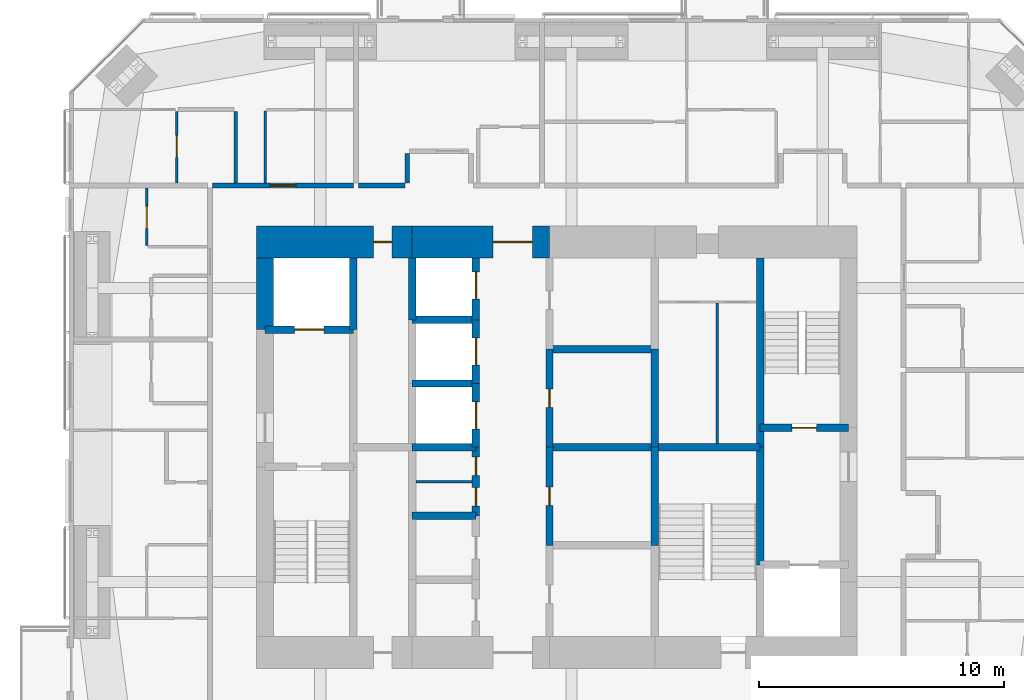
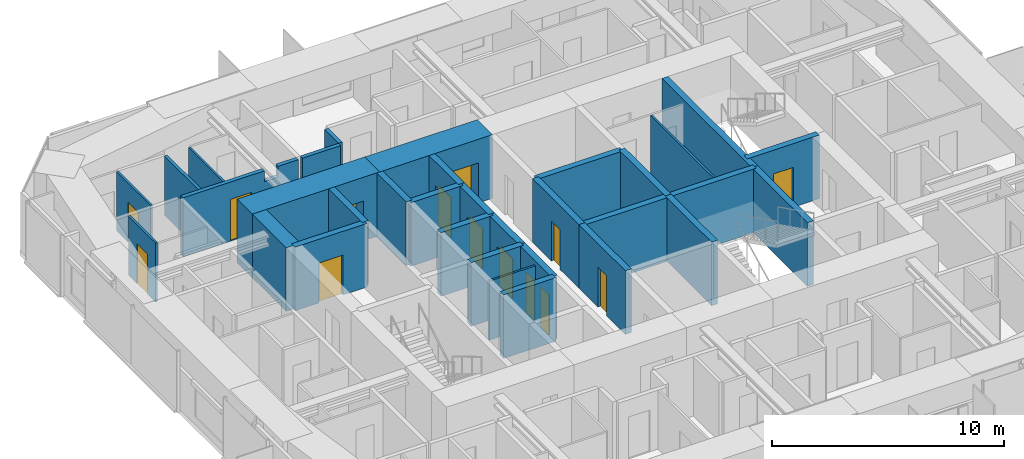
# One storey, part 18 of 23: 33 walls, 14 doors, 14 openings.
"""IFC4 building model written with IfcOpenShell, lengths in metres."""

from ifc_helpers import new_model, si_unit, direction, frame, frame_2d, origin, place, context, subcontext, project, spatial, polyline, rectangle, outline, extrude, material, layer, layer_set, constituent, constituent_set, type_object, element, fill, save


model = new_model("IFC4")

# Units and contexts
model_context = context("Model", 3, precision=1e-05, world=origin(), true_north=direction((0.0, 1.0)))
body_context = subcontext(model_context, "Body", "Model", "MODEL_VIEW")
ifc_project = project(units=[si_unit("LENGTHUNIT", "METRE"), si_unit("AREAUNIT", "SQUARE_METRE"), si_unit("VOLUMEUNIT", "CUBIC_METRE"), si_unit("PLANEANGLEUNIT", "RADIAN"), si_unit("MASSUNIT", "GRAM", prefix="KILO")], contexts=[model_context])

# Site, building, storey
site_placement = place(None, origin())
site = spatial("IfcSite", under=ifc_project, at=site_placement, CompositionType="ELEMENT")
building_placement = place(site_placement, origin())
building = spatial("IfcBuilding", under=site, at=building_placement, Name="Jalousie Tower", CompositionType="ELEMENT")
storey_placement = place(building_placement, frame((0.0, 0.0, 164.39990234375)))
storey = spatial("IfcBuildingStorey", under=building, at=storey_placement, Name="L44", CompositionType="ELEMENT", Elevation=164.39990234375)

# Wall
ifc_material_1 = material(Name="Concrete block ASTM C90", Category="concrete")
ifc_constituent_1 = constituent(ifc_material_1, Name="Body")
ifc_material_2 = material(Name="Render")
ifc_constituent_2 = constituent(ifc_material_2, Name="Finish")
ifc_constituent_set_1 = constituent_set(constituents=[ifc_constituent_1, ifc_constituent_2])
wall_type_1 = type_object("IfcWallType", Name="BATHROOM WALL 150", PredefinedType="PLUMBINGWALL", material=ifc_constituent_set_1)
wall_1_placement = place(storey_placement, frame((18.800048828125, 32.20361328125, 0.0), z_axis=(0.0, 0.0, 1.0), x_axis=(0.0, -1.0, 0.0)))
element("IfcWall", 1, at=wall_1_placement, inside=storey, type_object=wall_type_1, Name="Bathroom Wall 150 L44", PredefinedType="PLUMBINGWALL", context=body_context, shape_type="SweptSolid", body=[
    extrude(rectangle(XDim=2.9287109375, YDim=0.14990234375, at=frame_2d((1.46435546875, 0.0))), origin(), (0.0, 0.0, 1.0), 3.110107421875),
])

# Wall, opening, door
ifc_material_3 = material(Name="Concrete f'c 120 MPa", Category="concrete")
ifc_layer_1 = layer(ifc_material_3, 1.300048828125)
ifc_layer_set_1 = layer_set([ifc_layer_1], Name="Concrete f'c 120 MPa")
wall_type_2 = type_object("IfcWallType", Name="CORE WALL 1300", PredefinedType="SHEAR", material=ifc_layer_set_1)
wall_2_placement = place(storey_placement, frame((31.60009765625, 26.875, 0.0), z_axis=(0.0, 0.0, 1.0), x_axis=(-1.0, 0.0, 0.0)))
wall_2 = element("IfcWall", 2, at=wall_2_placement, inside=storey, type_object=wall_type_2, Name="Core wall NC L44", PredefinedType="SHEAR", context=body_context, shape_type="SweptSolid", body=[
    extrude(rectangle(XDim=5.60009765625, YDim=1.300048828125, at=frame_2d((2.800048828125, 0.0))), origin(), (0.0, 0.0, 1.0), 3.35009765625),
])
opening_1_placement = place(wall_2_placement, frame((0.699951171875, 0.0, 0.0)))
opening_1 = element("IfcOpeningElement", 3, at=opening_1_placement, cuts=wall_2, Name="Opening D15", PredefinedType="OPENING", context=body_context, shape_type="SweptSolid", body=[
    extrude(rectangle(XDim=1.60009765625, YDim=2.10009765625, at=frame_2d((0.800048828125, 1.050048828125))), frame((0.0, 0.659912109375, 0.0), z_axis=(0.0, -1.0, 0.0), x_axis=(1.0, 0.0, 0.0)), (0.0, 0.0, 1.0), 1.320068359375),
])
ifc_material_4 = material(Name="Steel fire door", Category="steel")
door_type_1 = type_object("IfcDoorType", Name="LIFT LOBBY DOOR 1600", OperationType="DOUBLE_DOOR_SINGLE_SWING", PredefinedType="DOOR", material=ifc_material_4)
door_1_placement = place(opening_1_placement, origin())
door_1 = element("IfcDoor", 4, at=door_1_placement, inside=storey, type_object=door_type_1, Name="Lift lobby north door", OperationType="DOUBLE_DOOR_SINGLE_SWING", OverallHeight=2.10009765625, OverallWidth=1.60009765625, PredefinedType="DOOR", context=body_context, shape_type="SweptSolid", body=[
    extrude(rectangle(XDim=1.60009765625, YDim=2.10009765625, at=frame_2d((0.800048828125, 1.050048828125))), frame((0.0, 0.02490234375, 0.0), z_axis=(0.0, -1.0, 0.0), x_axis=(1.0, 0.0, 0.0)), (0.0, 0.0, 1.0), 0.050048828125),
])
fill(opening_1, door_1)

wall_3_placement = place(storey_placement, frame((26.0, 26.875, 0.0), z_axis=(0.0, 0.0, 1.0), x_axis=(-1.0, 0.0, 0.0)))
wall_3 = element("IfcWall", 5, at=wall_3_placement, inside=storey, type_object=wall_type_2, Name="Core wall ND L44", PredefinedType="SHEAR", context=body_context, shape_type="SweptSolid", body=[
    extrude(rectangle(XDim=6.35009765625, YDim=1.300048828125, at=frame_2d((3.175048828125, 0.0))), origin(), (0.0, 0.0, 1.0), 3.35009765625),
])
opening_2_placement = place(wall_3_placement, frame((0.824951171875, 0.0, 0.0)))
opening_2 = element("IfcOpeningElement", 6, at=opening_2_placement, cuts=wall_3, Name="Opening D16", PredefinedType="OPENING", context=body_context, shape_type="SweptSolid", body=[
    extrude(rectangle(XDim=0.75, YDim=2.10009765625, at=frame_2d((0.375, 1.050048828125))), frame((0.0, 0.659912109375, 0.0), z_axis=(0.0, -1.0, 0.0), x_axis=(1.0, 0.0, 0.0)), (0.0, 0.0, 1.0), 1.320068359375),
])
ifc_material_5 = material(Name="Steel fire door", Category="steel")
door_type_2 = type_object("IfcDoorType", Name="RISER DOOR 750", OperationType="SINGLE_SWING_LEFT", PredefinedType="DOOR", material=ifc_material_5)
door_2_placement = place(opening_2_placement, origin())
door_2 = element("IfcDoor", 7, at=door_2_placement, inside=storey, type_object=door_type_2, Name="North riser door", OperationType="SINGLE_SWING_RIGHT", OverallHeight=2.10009765625, OverallWidth=0.75, PredefinedType="DOOR", context=body_context, shape_type="SweptSolid", body=[
    extrude(rectangle(XDim=0.75, YDim=2.10009765625, at=frame_2d((0.375, 1.050048828125))), frame((0.0, 0.02490234375, 0.0), z_axis=(0.0, -1.0, 0.0), x_axis=(1.0, 0.0, 0.0)), (0.0, 0.0, 1.0), 0.050048828125),
])
fill(opening_2, door_2)

# Walls
ifc_material_6 = material(Name="Concrete f'c 120 MPa", Category="concrete")
ifc_layer_2 = layer(ifc_material_6, 0.300048828125)
ifc_layer_set_2 = layer_set([ifc_layer_2], Name="Concrete f'c 120 MPa")
wall_type_3 = type_object("IfcWallType", Name="CORE WALL 300", PredefinedType="SHEAR", material=ifc_layer_set_2)
wall_4_placement = place(storey_placement, frame((23.60009765625, 23.300048828125, 0.0), z_axis=(0.0, 0.0, 1.0), x_axis=(0.0, 1.0, 0.0)))
element("IfcWall", 8, at=wall_4_placement, inside=storey, type_object=wall_type_3, Name="Core wall X23.6C L44", PredefinedType="SHEAR", context=body_context, shape_type="SweptSolid", body=[
    extrude(rectangle(XDim=2.925048828125, YDim=0.300048828125, at=frame_2d((1.46240234375, 0.0))), origin(), (0.0, 0.0, 1.0), 3.35009765625),
])
wall_5_placement = place(storey_placement, frame((26.0, 23.699951171875, 0.0), z_axis=(0.0, 0.0, 1.0), x_axis=(0.0, 1.0, 0.0)))
element("IfcWall", 9, at=wall_5_placement, inside=storey, type_object=wall_type_3, Name="Core wall X26F L44", PredefinedType="SHEAR", context=body_context, shape_type="SweptSolid", body=[
    extrude(rectangle(XDim=2.525146484375, YDim=0.300048828125, at=frame_2d((1.2626953125, 0.0))), origin(), (0.0, 0.0, 1.0), 3.35009765625),
])

# Wall, openings, doors
wall_6_placement = place(storey_placement, frame((28.60009765625, 15.699951171875, 0.0), z_axis=(0.0, 0.0, 1.0), x_axis=(0.0, 1.0, 0.0)))
wall_6 = element("IfcWall", 10, at=wall_6_placement, inside=storey, type_object=wall_type_3, Name="Core wall X28.6C L44", PredefinedType="SHEAR", context=body_context, shape_type="SweptSolid", body=[
    extrude(rectangle(XDim=2.800048828125, YDim=0.300048828125, at=frame_2d((1.39990234375, 0.0))), origin(), (0.0, 0.0, 1.0), 3.35009765625),
])
opening_3_placement = place(wall_6_placement, frame((0.39990234375, 0.0, 0.0)))
opening_3 = element("IfcOpeningElement", 11, at=opening_3_placement, cuts=wall_6, Name="Opening D27", PredefinedType="OPENING", context=body_context, shape_type="SweptSolid", body=[
    extrude(rectangle(XDim=0.75, YDim=2.10009765625, at=frame_2d((0.375, 1.050048828125))), frame((0.0, 0.159912109375, 0.0), z_axis=(0.0, -1.0, 0.0), x_axis=(1.0, 0.0, 0.0)), (0.0, 0.0, 1.0), 0.320068359375),
])
opening_4_placement = place(wall_6_placement, frame((1.64990234375, 0.0, 0.0)))
opening_4 = element("IfcOpeningElement", 12, at=opening_4_placement, cuts=wall_6, Name="Opening D27", PredefinedType="OPENING", context=body_context, shape_type="SweptSolid", body=[
    extrude(rectangle(XDim=0.75, YDim=2.10009765625, at=frame_2d((0.375, 1.050048828125))), frame((0.0, 0.159912109375, 0.0), z_axis=(0.0, -1.0, 0.0), x_axis=(1.0, 0.0, 0.0)), (0.0, 0.0, 1.0), 0.320068359375),
])
ifc_material_7 = material(Name="Steel fire door", Category="steel")
door_type_3 = type_object("IfcDoorType", Name="CORE ROOM DOOR 750", OperationType="SINGLE_SWING_LEFT", PredefinedType="DOOR", material=ifc_material_7)
door_3_placement = place(opening_3_placement, origin())
door_3 = element("IfcDoor", 13, at=door_3_placement, inside=storey, type_object=door_type_3, Name="Store door", OperationType="SINGLE_SWING_RIGHT", OverallHeight=2.10009765625, OverallWidth=0.75, PredefinedType="DOOR", context=body_context, shape_type="SweptSolid", body=[
    extrude(rectangle(XDim=0.75, YDim=2.10009765625, at=frame_2d((0.375, 1.050048828125))), frame((0.0, 0.02490234375, 0.0), z_axis=(0.0, -1.0, 0.0), x_axis=(1.0, 0.0, 0.0)), (0.0, 0.0, 1.0), 0.050048828125),
])
fill(opening_3, door_3)
door_4_placement = place(opening_4_placement, origin())
door_4 = element("IfcDoor", 14, at=door_4_placement, inside=storey, type_object=door_type_3, Name="Linen store door", OperationType="SINGLE_SWING_LEFT", OverallHeight=2.10009765625, OverallWidth=0.75, PredefinedType="DOOR", context=body_context, shape_type="SweptSolid", body=[
    extrude(rectangle(XDim=0.75, YDim=2.10009765625, at=frame_2d((0.375, 1.050048828125))), frame((0.0, 0.02490234375, 0.0), z_axis=(0.0, -1.0, 0.0), x_axis=(1.0, 0.0, 0.0)), (0.0, 0.0, 1.0), 0.050048828125),
])
fill(opening_4, door_4)

# Wall, opening, door
wall_7_placement = place(storey_placement, frame((28.60009765625, 18.5, 0.0), z_axis=(0.0, 0.0, 1.0), x_axis=(0.0, 1.0, 0.0)))
wall_7 = element("IfcWall", 15, at=wall_7_placement, inside=storey, type_object=wall_type_3, Name="Core wall X28.6D L44", PredefinedType="SHEAR", context=body_context, shape_type="SweptSolid", body=[
    extrude(rectangle(XDim=2.60009765625, YDim=0.300048828125, at=frame_2d((1.300048828125, 0.0))), origin(), (0.0, 0.0, 1.0), 3.35009765625),
])
opening_5_placement = place(wall_7_placement, frame((0.75, 0.0, 0.0)))
opening_5 = element("IfcOpeningElement", 16, at=opening_5_placement, cuts=wall_7, Name="Opening LD1", PredefinedType="OPENING", context=body_context, shape_type="SweptSolid", body=[
    extrude(rectangle(XDim=1.10009765625, YDim=2.10009765625, at=frame_2d((0.550048828125, 1.050048828125))), frame((0.0, 0.159912109375, 0.0), z_axis=(0.0, -1.0, 0.0), x_axis=(1.0, 0.0, 0.0)), (0.0, 0.0, 1.0), 0.320068359375),
])
ifc_material_8 = material(Name="Steel lift landing door", Category="steel")
door_type_4 = type_object("IfcDoorType", Name="LIFT LANDING DOOR 1100", OperationType="SLIDING_TO_LEFT", PredefinedType="DOOR", material=ifc_material_8)
door_5_placement = place(opening_5_placement, origin())
door_5 = element("IfcDoor", 17, at=door_5_placement, inside=storey, type_object=door_type_4, Name="Lift P4 landing door", OperationType="SLIDING_TO_LEFT", OverallHeight=2.10009765625, OverallWidth=1.10009765625, PredefinedType="DOOR", context=body_context, shape_type="SweptSolid", body=[
    extrude(rectangle(XDim=1.10009765625, YDim=2.10009765625, at=frame_2d((0.550048828125, 1.050048828125))), frame((0.0, 0.02490234375, 0.0), z_axis=(0.0, -1.0, 0.0), x_axis=(1.0, 0.0, 0.0)), (0.0, 0.0, 1.0), 0.050048828125),
])
fill(opening_5, door_5)

wall_8_placement = place(storey_placement, frame((28.60009765625, 21.10009765625, 0.0), z_axis=(0.0, 0.0, 1.0), x_axis=(0.0, 1.0, 0.0)))
wall_8 = element("IfcWall", 18, at=wall_8_placement, inside=storey, type_object=wall_type_3, Name="Core wall X28.6E L44", PredefinedType="SHEAR", context=body_context, shape_type="SweptSolid", body=[
    extrude(rectangle(XDim=2.599853515625, YDim=0.300048828125, at=frame_2d((1.2998046875, 0.0))), origin(), (0.0, 0.0, 1.0), 3.35009765625),
])
opening_6_placement = place(wall_8_placement, frame((0.75, 0.0, 0.0)))
opening_6 = element("IfcOpeningElement", 19, at=opening_6_placement, cuts=wall_8, Name="Opening LD1", PredefinedType="OPENING", context=body_context, shape_type="SweptSolid", body=[
    extrude(rectangle(XDim=1.10009765625, YDim=2.10009765625, at=frame_2d((0.550048828125, 1.050048828125))), frame((0.0, 0.159912109375, 0.0), z_axis=(0.0, -1.0, 0.0), x_axis=(1.0, 0.0, 0.0)), (0.0, 0.0, 1.0), 0.320068359375),
])
door_6_placement = place(opening_6_placement, origin())
door_6 = element("IfcDoor", 20, at=door_6_placement, inside=storey, type_object=door_type_4, Name="Lift P5 landing door", OperationType="SLIDING_TO_LEFT", OverallHeight=2.10009765625, OverallWidth=1.10009765625, PredefinedType="DOOR", context=body_context, shape_type="SweptSolid", body=[
    extrude(rectangle(XDim=1.10009765625, YDim=2.10009765625, at=frame_2d((0.550048828125, 1.050048828125))), frame((0.0, 0.02490234375, 0.0), z_axis=(0.0, -1.0, 0.0), x_axis=(1.0, 0.0, 0.0)), (0.0, 0.0, 1.0), 0.050048828125),
])
fill(opening_6, door_6)

wall_9_placement = place(storey_placement, frame((28.60009765625, 23.699951171875, 0.0), z_axis=(0.0, 0.0, 1.0), x_axis=(0.0, 1.0, 0.0)))
wall_9 = element("IfcWall", 21, at=wall_9_placement, inside=storey, type_object=wall_type_3, Name="Core wall X28.6F L44", PredefinedType="SHEAR", context=body_context, shape_type="SweptSolid", body=[
    extrude(rectangle(XDim=2.525146484375, YDim=0.300048828125, at=frame_2d((1.2626953125, 0.0))), origin(), (0.0, 0.0, 1.0), 3.35009765625),
])
opening_7_placement = place(wall_9_placement, frame((0.85009765625, 0.0, 0.0)))
opening_7 = element("IfcOpeningElement", 22, at=opening_7_placement, cuts=wall_9, Name="Opening LD1", PredefinedType="OPENING", context=body_context, shape_type="SweptSolid", body=[
    extrude(rectangle(XDim=1.10009765625, YDim=2.10009765625, at=frame_2d((0.550048828125, 1.050048828125))), frame((0.0, 0.159912109375, 0.0), z_axis=(0.0, -1.0, 0.0), x_axis=(1.0, 0.0, 0.0)), (0.0, 0.0, 1.0), 0.320068359375),
])
door_7_placement = place(opening_7_placement, origin())
door_7 = element("IfcDoor", 23, at=door_7_placement, inside=storey, type_object=door_type_4, Name="Lift P6 landing door", OperationType="SLIDING_TO_LEFT", OverallHeight=2.10009765625, OverallWidth=1.10009765625, PredefinedType="DOOR", context=body_context, shape_type="SweptSolid", body=[
    extrude(rectangle(XDim=1.10009765625, YDim=2.10009765625, at=frame_2d((0.550048828125, 1.050048828125))), frame((0.0, 0.02490234375, 0.0), z_axis=(0.0, -1.0, 0.0), x_axis=(1.0, 0.0, 0.0)), (0.0, 0.0, 1.0), 0.050048828125),
])
fill(opening_7, door_7)

wall_10_placement = place(storey_placement, frame((31.60009765625, 14.5, 0.0), z_axis=(0.0, 0.0, 1.0), x_axis=(0.0, 1.0, 0.0)))
wall_10 = element("IfcWall", 24, at=wall_10_placement, inside=storey, type_object=wall_type_3, Name="Core wall X31.6B L44", PredefinedType="SHEAR", context=body_context, shape_type="SweptSolid", body=[
    extrude(rectangle(XDim=4.0, YDim=0.300048828125, at=frame_2d((2.0, 0.0))), origin(), (0.0, 0.0, 1.0), 3.35009765625),
])
opening_8_placement = place(wall_10_placement, frame((1.625, 0.0, 0.0)))
opening_8 = element("IfcOpeningElement", 25, at=opening_8_placement, cuts=wall_10, Name="Opening D16", PredefinedType="OPENING", context=body_context, shape_type="SweptSolid", body=[
    extrude(rectangle(XDim=0.75, YDim=2.10009765625, at=frame_2d((0.375, 1.050048828125))), frame((0.0, 0.159912109375, 0.0), z_axis=(0.0, -1.0, 0.0), x_axis=(1.0, 0.0, 0.0)), (0.0, 0.0, 1.0), 0.320068359375),
])
door_8_placement = place(opening_8_placement, frame((0.75, 0.0, 0.0), z_axis=(0.0, 0.0, 1.0), x_axis=(-1.0, 0.0, 0.0)))
door_8 = element("IfcDoor", 26, at=door_8_placement, inside=storey, type_object=door_type_2, Name="Electrical Room door", OperationType="SINGLE_SWING_RIGHT", OverallHeight=2.10009765625, OverallWidth=0.75, PredefinedType="DOOR", context=body_context, shape_type="SweptSolid", body=[
    extrude(rectangle(XDim=0.75, YDim=2.10009765625, at=frame_2d((0.375, 1.050048828125))), frame((0.0, 0.02490234375, 0.0), z_axis=(0.0, -1.0, 0.0), x_axis=(1.0, 0.0, 0.0)), (0.0, 0.0, 1.0), 0.050048828125),
])
fill(opening_8, door_8)

wall_11_placement = place(storey_placement, frame((31.60009765625, 18.5, 0.0), z_axis=(0.0, 0.0, 1.0), x_axis=(0.0, 1.0, 0.0)))
wall_11 = element("IfcWall", 27, at=wall_11_placement, inside=storey, type_object=wall_type_3, Name="Core wall X31.6C L44", PredefinedType="SHEAR", context=body_context, shape_type="SweptSolid", body=[
    extrude(rectangle(XDim=4.0, YDim=0.300048828125, at=frame_2d((2.0, 0.0))), origin(), (0.0, 0.0, 1.0), 3.35009765625),
])
opening_9_placement = place(wall_11_placement, frame((1.625, 0.0, 0.0)))
opening_9 = element("IfcOpeningElement", 28, at=opening_9_placement, cuts=wall_11, Name="Opening D16", PredefinedType="OPENING", context=body_context, shape_type="SweptSolid", body=[
    extrude(rectangle(XDim=0.75, YDim=2.10009765625, at=frame_2d((0.375, 1.050048828125))), frame((0.0, 0.159912109375, 0.0), z_axis=(0.0, -1.0, 0.0), x_axis=(1.0, 0.0, 0.0)), (0.0, 0.0, 1.0), 0.320068359375),
])
door_9_placement = place(opening_9_placement, frame((0.75, 0.0, 0.0), z_axis=(0.0, 0.0, 1.0), x_axis=(-1.0, 0.0, 0.0)))
door_9 = element("IfcDoor", 29, at=door_9_placement, inside=storey, type_object=door_type_2, Name="Telecom Room door", OperationType="SINGLE_SWING_RIGHT", OverallHeight=2.10009765625, OverallWidth=0.75, PredefinedType="DOOR", context=body_context, shape_type="SweptSolid", body=[
    extrude(rectangle(XDim=0.75, YDim=2.10009765625, at=frame_2d((0.375, 1.050048828125))), frame((0.0, 0.02490234375, 0.0), z_axis=(0.0, -1.0, 0.0), x_axis=(1.0, 0.0, 0.0)), (0.0, 0.0, 1.0), 0.050048828125),
])
fill(opening_9, door_9)

# Walls
for number, where, z_axis, x_axis, name in (
    (30, (35.89990234375, 14.5, 0.0), (0.0, 0.0, 1.0), (0.0, 1.0, 0.0), "Core wall X35.9B L44"),
    (31, (35.89990234375, 18.5, 0.0), (0.0, 0.0, 1.0), (0.0, 1.0, 0.0), "Core wall X35.9C L44"),
):
    element("IfcWall", number, at=place(storey_placement, frame(where, z_axis=z_axis, x_axis=x_axis)), inside=storey, type_object=wall_type_3, Name=name, PredefinedType="SHEAR", context=body_context, shape_type="SweptSolid", body=[
        extrude(rectangle(XDim=4.0, YDim=0.300048828125, at=frame_2d((2.0, 0.0))), origin(), (0.0, 0.0, 1.0), 3.35009765625),
    ])
wall_12_placement = place(storey_placement, frame((40.199951171875, 13.699951171875, 0.0), z_axis=(0.0, 0.0, 1.0), x_axis=(0.0, 1.0, 0.0)))
element("IfcWall", 32, at=wall_12_placement, inside=storey, type_object=wall_type_3, Name="Core wall X40.2B L44", PredefinedType="SHEAR", context=body_context, shape_type="SweptSolid", body=[
    extrude(rectangle(XDim=4.800048828125, YDim=0.300048828125, at=frame_2d((2.39990234375, 0.0))), origin(), (0.0, 0.0, 1.0), 3.35009765625),
])
wall_13_placement = place(storey_placement, frame((40.199951171875, 18.5, 0.0), z_axis=(0.0, 0.0, 1.0), x_axis=(0.0, 1.0, 0.0)))
element("IfcWall", 33, at=wall_13_placement, inside=storey, type_object=wall_type_3, Name="Core wall X40.2C L44", PredefinedType="SHEAR", context=body_context, shape_type="SweptSolid", body=[
    extrude(rectangle(XDim=7.72509765625, YDim=0.300048828125, at=frame_2d((3.862548828125, 0.0))), origin(), (0.0, 0.0, 1.0), 3.35009765625),
])

# Wall, opening, door
wall_14_placement = place(storey_placement, frame((20.0, 23.300048828125, 0.0), z_axis=(0.0, 0.0, 1.0), x_axis=(1.0, 0.0, 0.0)))
wall_14 = element("IfcWall", 34, at=wall_14_placement, inside=storey, type_object=wall_type_3, Name="Core wall Y20-23.3 L44", PredefinedType="SHEAR", context=body_context, shape_type="SweptSolid", body=[
    extrude(rectangle(XDim=3.60009765625, YDim=0.300048828125, at=frame_2d((1.800048828125, 0.0))), origin(), (0.0, 0.0, 1.0), 3.35009765625),
])
opening_10_placement = place(wall_14_placement, frame((1.199951171875, 0.0, 0.0)))
opening_10 = element("IfcOpeningElement", 35, at=opening_10_placement, cuts=wall_14, Name="Opening LD2", PredefinedType="OPENING", context=body_context, shape_type="SweptSolid", body=[
    extrude(rectangle(XDim=1.199951171875, YDim=2.10009765625, at=frame_2d((0.60009765625, 1.050048828125))), frame((0.0, 0.159912109375, 0.0), z_axis=(0.0, -1.0, 0.0), x_axis=(1.0, 0.0, 0.0)), (0.0, 0.0, 1.0), 0.320068359375),
])
ifc_material_9 = material(Name="Steel lift landing door", Category="steel")
door_type_5 = type_object("IfcDoorType", Name="LIFT LANDING DOOR 1200", OperationType="SLIDING_TO_LEFT", PredefinedType="DOOR", material=ifc_material_9)
door_10_placement = place(opening_10_placement, origin())
door_10 = element("IfcDoor", 36, at=door_10_placement, inside=storey, type_object=door_type_5, Name="Lift F1 landing door", OperationType="SLIDING_TO_LEFT", OverallHeight=2.10009765625, OverallWidth=1.199951171875, PredefinedType="DOOR", context=body_context, shape_type="SweptSolid", body=[
    extrude(rectangle(XDim=1.199951171875, YDim=2.10009765625, at=frame_2d((0.60009765625, 1.050048828125))), frame((0.0, 0.02490234375, 0.0), z_axis=(0.0, -1.0, 0.0), x_axis=(1.0, 0.0, 0.0)), (0.0, 0.0, 1.0), 0.050048828125),
])
fill(opening_10, door_10)

# Walls
for number, where, z_axis, x_axis, name in (
    (37, (26.0, 15.699951171875, 0.0), (0.0, 0.0, 1.0), (1.0, 0.0, 0.0), "Core wall Y26-15.7 L44"),
    (38, (26.0, 18.5, 0.0), (0.0, 0.0, 1.0), (1.0, 0.0, 0.0), "Core wall Y26-18.5 L44"),
    (39, (26.0, 21.10009765625, 0.0), (0.0, 0.0, 1.0), (1.0, 0.0, 0.0), "Core wall Y26-21.1 L44"),
    (40, (26.0, 23.699951171875, 0.0), (0.0, 0.0, 1.0), (1.0, 0.0, 0.0), "Core wall Y26-23.7 L44"),
):
    element("IfcWall", number, at=place(storey_placement, frame(where, z_axis=z_axis, x_axis=x_axis)), inside=storey, type_object=wall_type_3, Name=name, PredefinedType="SHEAR", context=body_context, shape_type="SweptSolid", body=[
        extrude(rectangle(XDim=2.60009765625, YDim=0.300048828125, at=frame_2d((1.300048828125, 0.0))), origin(), (0.0, 0.0, 1.0), 3.35009765625),
    ])
for number, where, z_axis, x_axis, name in (
    (41, (31.60009765625, 18.5, 0.0), (0.0, 0.0, 1.0), (1.0, 0.0, 0.0), "Core wall Y31.6-18.5 L44"),
    (42, (31.60009765625, 22.5, 0.0), (0.0, 0.0, 1.0), (1.0, 0.0, 0.0), "Core wall Y31.6-22.5 L44"),
):
    element("IfcWall", number, at=place(storey_placement, frame(where, z_axis=z_axis, x_axis=x_axis)), inside=storey, type_object=wall_type_3, Name=name, PredefinedType="SHEAR", context=body_context, shape_type="SweptSolid", body=[
        extrude(rectangle(XDim=4.2998046875, YDim=0.300048828125, at=frame_2d((2.14990234375, 0.0))), origin(), (0.0, 0.0, 1.0), 3.35009765625),
    ])
wall_15_placement = place(storey_placement, frame((35.89990234375, 18.5, 0.0), z_axis=(0.0, 0.0, 1.0), x_axis=(1.0, 0.0, 0.0)))
element("IfcWall", 43, at=wall_15_placement, inside=storey, type_object=wall_type_3, Name="Core wall Y35.9-18.5 L44", PredefinedType="SHEAR", context=body_context, shape_type="SweptSolid", body=[
    extrude(rectangle(XDim=4.300048828125, YDim=0.300048828125, at=frame_2d((2.14990234375, 0.0))), origin(), (0.0, 0.0, 1.0), 3.35009765625),
])

# Wall, opening, door
wall_16_placement = place(storey_placement, frame((40.199951171875, 19.300048828125, 0.0), z_axis=(0.0, 0.0, 1.0), x_axis=(1.0, 0.0, 0.0)))
wall_16 = element("IfcWall", 44, at=wall_16_placement, inside=storey, type_object=wall_type_3, Name="Core wall Y40.2-19.3 L44", PredefinedType="SHEAR", context=body_context, shape_type="SweptSolid", body=[
    extrude(rectangle(XDim=3.60009765625, YDim=0.300048828125, at=frame_2d((1.800048828125, 0.0))), origin(), (0.0, 0.0, 1.0), 3.35009765625),
])
opening_11_placement = place(wall_16_placement, frame((1.300048828125, 0.0, 0.0)))
opening_11 = element("IfcOpeningElement", 45, at=opening_11_placement, cuts=wall_16, Name="Opening D10", PredefinedType="OPENING", context=body_context, shape_type="SweptSolid", body=[
    extrude(rectangle(XDim=1.0, YDim=2.10009765625, at=frame_2d((0.5, 1.050048828125))), frame((0.0, 0.159912109375, 0.0), z_axis=(0.0, -1.0, 0.0), x_axis=(1.0, 0.0, 0.0)), (0.0, 0.0, 1.0), 0.320068359375),
])
ifc_material_10 = material(Name="Steel fire door", Category="steel")
door_type_6 = type_object("IfcDoorType", Name="STAIR DOOR 1000", OperationType="SINGLE_SWING_LEFT", PredefinedType="DOOR", material=ifc_material_10)
door_11_placement = place(opening_11_placement, origin())
door_11 = element("IfcDoor", 46, at=door_11_placement, inside=storey, type_object=door_type_6, Name="Exit stair B door", OperationType="SINGLE_SWING_RIGHT", OverallHeight=2.10009765625, OverallWidth=1.0, PredefinedType="DOOR", context=body_context, shape_type="SweptSolid", body=[
    extrude(rectangle(XDim=1.0, YDim=2.10009765625, at=frame_2d((0.5, 1.050048828125))), frame((0.0, 0.02490234375, 0.0), z_axis=(0.0, -1.0, 0.0), x_axis=(1.0, 0.0, 0.0)), (0.0, 0.0, 1.0), 0.050048828125),
])
fill(opening_11, door_11)

# Wall
ifc_material_11 = material(Name="Concrete f'c 120 MPa", Category="concrete")
ifc_layer_3 = layer(ifc_material_11, 0.699951171875)
ifc_layer_set_3 = layer_set([ifc_layer_3], Name="Concrete f'c 120 MPa")
wall_type_4 = type_object("IfcWallType", Name="CORE WALL 700", PredefinedType="SHEAR", material=ifc_layer_set_3)
wall_17_placement = place(storey_placement, frame((20.0, 26.22509765625, 0.0), z_axis=(0.0, 0.0, 1.0), x_axis=(0.0, -1.0, 0.0)))
element("IfcWall", 47, at=wall_17_placement, inside=storey, type_object=wall_type_4, Name="Core wall WA L44", PredefinedType="SHEAR", context=body_context, shape_type="SweptSolid", body=[
    extrude(rectangle(XDim=2.925048828125, YDim=0.699951171875, at=frame_2d((1.46240234375, 0.0))), origin(), (0.0, 0.0, 1.0), 3.35009765625),
])

# Wall, opening, door
ifc_material_12 = material(Name="Concrete block ASTM C90", Category="concrete")
ifc_constituent_3 = constituent(ifc_material_12, Name="Body")
ifc_material_13 = material(Name="Render")
ifc_constituent_4 = constituent(ifc_material_13, Name="Finish")
ifc_constituent_set_2 = constituent_set(constituents=[ifc_constituent_3, ifc_constituent_4])
wall_type_5 = type_object("IfcWallType", Name="CORRIDOR WALL 200", PredefinedType="PARTITIONING", material=ifc_constituent_set_2)
wall_18_placement = place(storey_placement, frame((17.85009765625, 29.175048828125, 0.0), z_axis=(0.0, 0.0, 1.0), x_axis=(1.0, 0.0, 0.0)))
wall_18 = element("IfcWall", 48, at=wall_18_placement, inside=storey, type_object=wall_type_5, Name="Corridor Wall 200 L44", PredefinedType="PARTITIONING", context=body_context, shape_type="SweptSolid", body=[
    extrude(outline(polyline([(0.0, 0.0), (5.75, 0.0), (5.75, 3.110107421875), (4.7373046875, 3.110107421875), (4.7373046875, 2.541015625), (4.0625, 2.541015625), (4.0625, 3.110107421875), (0.0, 3.110107421875), (0.0, 0.0)])), frame((0.0, 0.10009765625, 0.0), z_axis=(0.0, -1.0, 0.0), x_axis=(1.0, 0.0, 0.0)), (0.0, 0.0, 1.0), 0.199951171875),
])
opening_12_placement = place(wall_18_placement, frame((2.35009765625, 0.0, 0.0)))
opening_12 = element("IfcOpeningElement", 49, at=opening_12_placement, cuts=wall_18, Name="Opening D1", PredefinedType="OPENING", context=body_context, shape_type="SweptSolid", body=[
    extrude(rectangle(XDim=1.050048828125, YDim=2.199951171875, at=frame_2d((0.52490234375, 1.10009765625))), frame((0.0, 0.10986328125, 0.0), z_axis=(0.0, -1.0, 0.0), x_axis=(1.0, 0.0, 0.0)), (0.0, 0.0, 1.0), 0.219970703125),
])
ifc_material_14 = material(Name="Timber fire door", Category="wood")
door_type_7 = type_object("IfcDoorType", Name="APARTMENT ENTRANCE DOOR 1050", OperationType="SINGLE_SWING_LEFT", PredefinedType="DOOR", material=ifc_material_14)
door_12_placement = place(opening_12_placement, origin())
door_12 = element("IfcDoor", 50, at=door_12_placement, inside=storey, type_object=door_type_7, Name="Apartment 4405 entrance", OperationType="SINGLE_SWING_LEFT", OverallHeight=2.199951171875, OverallWidth=1.050048828125, PredefinedType="DOOR", context=body_context, shape_type="SweptSolid", body=[
    extrude(rectangle(XDim=1.050048828125, YDim=2.199951171875, at=frame_2d((0.52490234375, 1.10009765625))), frame((0.0, 0.02490234375, 0.0), z_axis=(0.0, -1.0, 0.0), x_axis=(1.0, 0.0, 0.0)), (0.0, 0.0, 1.0), 0.050048828125),
])
fill(opening_12, door_12)

# Walls
wall_19_placement = place(storey_placement, frame((23.800048828125, 29.175048828125, 0.0), z_axis=(0.0, 0.0, 1.0), x_axis=(1.0, 0.0, 0.0)))
element("IfcWall", 51, at=wall_19_placement, inside=storey, type_object=wall_type_5, Name="Corridor Wall 200 L44", PredefinedType="PARTITIONING", context=body_context, shape_type="SweptSolid", body=[
    extrude(rectangle(XDim=1.89990234375, YDim=0.199951171875, at=frame_2d((0.949951171875, 0.0))), origin(), (0.0, 0.0, 1.0), 3.110107421875),
])
wall_20_placement = place(storey_placement, frame((25.800048828125, 29.27490234375, 0.0), z_axis=(0.0, 0.0, 1.0), x_axis=(0.0, 1.0, 0.0)))
element("IfcWall", 52, at=wall_20_placement, inside=storey, type_object=wall_type_5, Name="Corridor Wall 200 L44", PredefinedType="PARTITIONING", context=body_context, shape_type="SweptSolid", body=[
    extrude(rectangle(XDim=1.2001953125, YDim=0.199951171875, at=frame_2d((0.60009765625, 0.0))), origin(), (0.0, 0.0, 1.0), 3.110107421875),
])

# Wall, opening, door
ifc_material_15 = material(Name="Gypsum board", Category="gypsum")
ifc_constituent_5 = constituent(ifc_material_15, Name="Body")
ifc_material_16 = material(Name="Light-gauge steel studs ASTM A653 SS Grade 33", Category="steel")
ifc_constituent_6 = constituent(ifc_material_16, Name="Framing")
ifc_constituent_set_3 = constituent_set(constituents=[ifc_constituent_5, ifc_constituent_6])
wall_type_6 = type_object("IfcWallType", Name="PARTITION 100", PredefinedType="PARTITIONING", material=ifc_constituent_set_3)
wall_21_placement = place(storey_placement, frame((16.39990234375, 32.20361328125, 0.0), z_axis=(0.0, 0.0, 1.0), x_axis=(0.0, -1.0, 0.0)))
wall_21 = element("IfcWall", 53, at=wall_21_placement, inside=storey, type_object=wall_type_6, Name="Partition 100 L44", PredefinedType="PARTITIONING", context=body_context, shape_type="SweptSolid", body=[
    extrude(rectangle(XDim=2.9287109375, YDim=0.10009765625, at=frame_2d((1.46435546875, 0.0))), origin(), (0.0, 0.0, 1.0), 3.110107421875),
])
opening_13_placement = place(wall_21_placement, frame((0.976806640625, 0.0, 0.0)))
opening_13 = element("IfcOpeningElement", 54, at=opening_13_placement, cuts=wall_21, Name="Opening D3", PredefinedType="OPENING", context=body_context, shape_type="SweptSolid", body=[
    extrude(rectangle(XDim=0.89990234375, YDim=2.10009765625, at=frame_2d((0.449951171875, 1.050048828125))), frame((0.0, 0.06005859375, 0.0), z_axis=(0.0, -1.0, 0.0), x_axis=(1.0, 0.0, 0.0)), (0.0, 0.0, 1.0), 0.1201171875),
])
ifc_material_17 = material(Name="Timber door", Category="wood")
door_type_8 = type_object("IfcDoorType", Name="BATHROOM DOOR 900", OperationType="SINGLE_SWING_LEFT", PredefinedType="DOOR", material=ifc_material_17)
door_13_placement = place(opening_13_placement, origin())
door_13 = element("IfcDoor", 55, at=door_13_placement, inside=storey, type_object=door_type_8, Name="Apartment 4405 bedroom 1 bathroom door", OperationType="SINGLE_SWING_LEFT", OverallHeight=2.10009765625, OverallWidth=0.89990234375, PredefinedType="DOOR", context=body_context, shape_type="SweptSolid", body=[
    extrude(rectangle(XDim=0.89990234375, YDim=2.10009765625, at=frame_2d((0.449951171875, 1.050048828125))), frame((0.0, 0.02490234375, 0.0), z_axis=(0.0, -1.0, 0.0), x_axis=(1.0, 0.0, 0.0)), (0.0, 0.0, 1.0), 0.050048828125),
])
fill(opening_13, door_13)

# Wall
wall_22_placement = place(storey_placement, frame((20.0, 32.22509765625, 0.0), z_axis=(0.0, 0.0, 1.0), x_axis=(0.0, -1.0, 0.0)))
element("IfcWall", 56, at=wall_22_placement, inside=storey, type_object=wall_type_6, Name="Partition 100 L44", PredefinedType="PARTITIONING", context=body_context, shape_type="SweptSolid", body=[
    extrude(rectangle(XDim=2.9501953125, YDim=0.10009765625, at=frame_2d((1.47509765625, 0.0))), origin(), (0.0, 0.0, 1.0), 3.110107421875),
])

# Wall, opening, door
wall_23_placement = place(storey_placement, frame((15.175048828125, 26.72509765625, 0.0), z_axis=(0.0, 0.0, 1.0), x_axis=(0.0, 1.0, 0.0)))
wall_23 = element("IfcWall", 57, at=wall_23_placement, inside=storey, type_object=wall_type_6, Name="Partition 100 L44", PredefinedType="PARTITIONING", context=body_context, shape_type="SweptSolid", body=[
    extrude(rectangle(XDim=2.349853515625, YDim=0.10009765625, at=frame_2d((1.1748046875, 0.0))), origin(), (0.0, 0.0, 1.0), 3.110107421875),
])
opening_14_placement = place(wall_23_placement, frame((0.699951171875, 0.0, 0.0)))
opening_14 = element("IfcOpeningElement", 58, at=opening_14_placement, cuts=wall_23, Name="Opening D7", PredefinedType="OPENING", context=body_context, shape_type="SweptSolid", body=[
    extrude(rectangle(XDim=0.89990234375, YDim=2.10009765625, at=frame_2d((0.449951171875, 1.050048828125))), frame((0.0, 0.06005859375, 0.0), z_axis=(0.0, -1.0, 0.0), x_axis=(1.0, 0.0, 0.0)), (0.0, 0.0, 1.0), 0.1201171875),
])
ifc_material_18 = material(Name="Timber door", Category="wood")
door_type_9 = type_object("IfcDoorType", Name="INTERNAL DOOR 900", OperationType="SINGLE_SWING_LEFT", PredefinedType="DOOR", material=ifc_material_18)
door_14_placement = place(opening_14_placement, frame((0.89990234375, 0.0, 0.0), z_axis=(0.0, 0.0, 1.0), x_axis=(-1.0, 0.0, 0.0)))
door_14 = element("IfcDoor", 59, at=door_14_placement, inside=storey, type_object=door_type_9, Name="Apartment 4409 kitchen door", OperationType="SINGLE_SWING_RIGHT", OverallHeight=2.10009765625, OverallWidth=0.89990234375, PredefinedType="DOOR", context=body_context, shape_type="SweptSolid", body=[
    extrude(rectangle(XDim=0.89990234375, YDim=2.10009765625, at=frame_2d((0.449951171875, 1.050048828125))), frame((0.0, 0.02490234375, 0.0), z_axis=(0.0, -1.0, 0.0), x_axis=(1.0, 0.0, 0.0)), (0.0, 0.0, 1.0), 0.050048828125),
])
fill(opening_14, door_14)

# Walls
wall_24_placement = place(storey_placement, frame((38.449951171875, 18.64990234375, 0.0), z_axis=(0.0, 0.0, 1.0), x_axis=(0.0, 1.0, 0.0)))
element("IfcWall", 60, at=wall_24_placement, inside=storey, type_object=wall_type_6, Name="Partition 100 L44", PredefinedType="PARTITIONING", context=body_context, shape_type="SweptSolid", body=[
    extrude(rectangle(XDim=5.72509765625, YDim=0.10009765625, at=frame_2d((2.862548828125, 0.0))), origin(), (0.0, 0.0, 1.0), 3.110107421875),
])
wall_25_placement = place(storey_placement, frame((26.14990234375, 17.10009765625, 0.0), z_axis=(0.0, 0.0, 1.0), x_axis=(1.0, 0.0, 0.0)))
element("IfcWall", 61, at=wall_25_placement, inside=storey, type_object=wall_type_6, Name="Partition 100 L44", PredefinedType="PARTITIONING", context=body_context, shape_type="SweptSolid", body=[
    extrude(rectangle(XDim=2.300048828125, YDim=0.10009765625, at=frame_2d((1.14990234375, 0.0))), origin(), (0.0, 0.0, 1.0), 3.110107421875),
])

save(model, "model.ifc")
